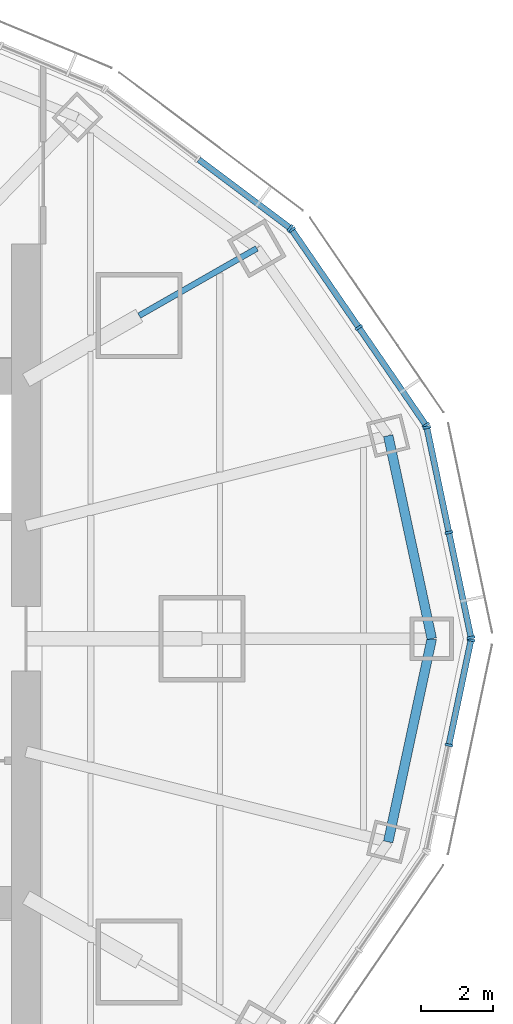
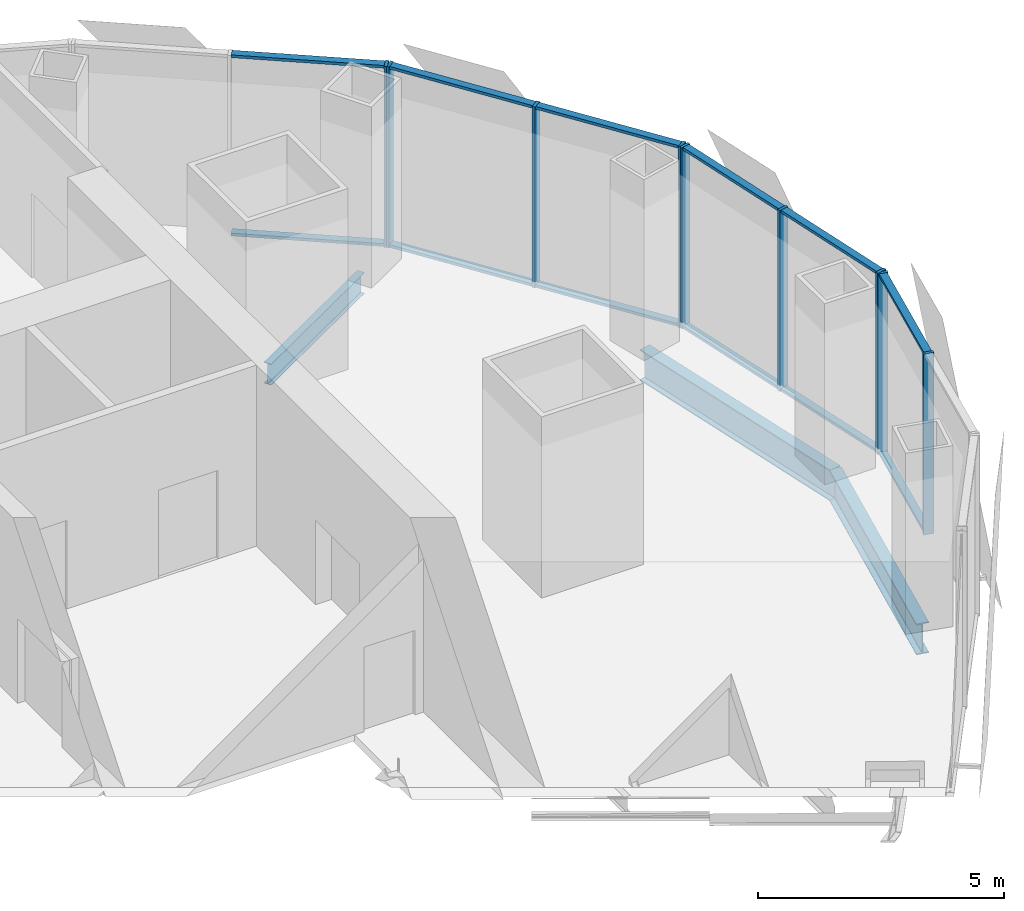
# One storey, part 6 of 15: 21 members, 3 beams, 4 elements without a shape of their own.
"""IFC4 building model written with IfcOpenShell, lengths in metres."""

import ifcopenshell
import ifcopenshell.guid

model = None  # the IFC model being written
_history = None  # IfcOwnerHistory: only IFC2X3 demands one
_inside = {}  # id of a spatial element -> (the spatial element, [elements in it])
_under = {}  # id of a project, library or spatial element -> (it, [spatial elements below it])
_declared = {}  # id of a project -> (the project, [libraries it declares])
_typed = {}  # id of a type object -> (the type object, [elements of that type])
_made_of = {}  # id of a material, layer set ... -> (it, [elements and type objects made of it])


def new_model(schema):
    """Start an empty IFC model of exactly this schema.

    Asked for "IFC4X3", IfcOpenShell would pick the latest addendum, in which some entities
    have other attributes; the version numbers below select the first issue.
    IFC2X3 requires an IfcOwnerHistory on every rooted entity: one is made here for all.
    """
    global model, _history
    if schema == "IFC4X3":
        model = ifcopenshell.file(schema_version=(4, 3, 0, 0))
    else:
        model = ifcopenshell.file(schema=schema)
    _inside.clear()
    _under.clear()
    _declared.clear()
    _typed.clear()
    _made_of.clear()
    _history = None
    if model.schema == "IFC2X3":
        org = make("IfcOrganization", Name="unknown")
        user = make(
            "IfcPersonAndOrganization",
            ThePerson=make("IfcPerson", FamilyName="unknown"),
            TheOrganization=org,
        )
        app = make(
            "IfcApplication",
            ApplicationDeveloper=org,
            Version="unknown",
            ApplicationFullName="unknown",
            ApplicationIdentifier="unknown",
        )
        _history = make(
            "IfcOwnerHistory",
            OwningUser=user,
            OwningApplication=app,
            ChangeAction="ADDED",
            CreationDate=0,
        )
    return model


def make(cls, **values):
    """One entity of the class cls with the attributes given. An attribute that is None is left unset."""
    return model.create_entity(
        cls, **{name: value for name, value in values.items() if value is not None}
    )


def rooted(cls, **values):
    """An entity with a GlobalId (a new one), such as an element, a storey or a relation."""
    return make(cls, GlobalId=ifcopenshell.guid.new(), OwnerHistory=_history, **values)


def si_unit(unit_type, name, prefix=None):
    """IfcSIUnit, for example si_unit("LENGTHUNIT", "METRE", prefix="MILLI")."""
    return make("IfcSIUnit", UnitType=unit_type, Prefix=prefix, Name=name)


def assignment(units):
    """IfcUnitAssignment: the units of a project."""
    return None if units is None else make("IfcUnitAssignment", Units=units)


def point(xyz):
    """IfcCartesianPoint."""
    return None if xyz is None else make("IfcCartesianPoint", Coordinates=xyz)


def direction(xyz):
    """IfcDirection."""
    return None if xyz is None else make("IfcDirection", DirectionRatios=xyz)


def frame(location, z_axis=None, x_axis=None):
    """IfcAxis2Placement3D, a coordinate frame: its origin and axes. An axis left out is left unset."""
    return make(
        "IfcAxis2Placement3D",
        Location=point(location),
        Axis=direction(z_axis),
        RefDirection=direction(x_axis),
    )


def frame_2d(location, x_axis=None):
    """IfcAxis2Placement2D, a coordinate frame in the plane: its origin and x axis."""
    return make(
        "IfcAxis2Placement2D", Location=point(location), RefDirection=direction(x_axis)
    )


def origin():
    """The frame at (0, 0, 0) with its axes left unset."""
    return frame((0.0, 0.0, 0.0))


def origin_2d():
    """The frame at (0, 0) in the plane with its x axis left unset."""
    return frame_2d((0.0, 0.0))


def place(relative_to, where):
    """IfcLocalPlacement: puts the frame where relative to a parent placement (None: the world)."""
    return make(
        "IfcLocalPlacement", PlacementRelTo=relative_to, RelativePlacement=where
    )


def context(
    kind, dimensions, precision=None, world=None, true_north=None, identifier=None
):
    """IfcGeometricRepresentationContext, for example the 3D "Model" context."""
    return make(
        "IfcGeometricRepresentationContext",
        ContextIdentifier=identifier,
        ContextType=kind,
        CoordinateSpaceDimension=dimensions,
        Precision=precision,
        WorldCoordinateSystem=world,
        TrueNorth=true_north,
    )


def subcontext(parent, identifier, kind, view, scale=None):
    """IfcGeometricRepresentationSubContext, for example "Body" below "Model"."""
    return make(
        "IfcGeometricRepresentationSubContext",
        ContextIdentifier=identifier,
        ContextType=kind,
        ParentContext=parent,
        TargetScale=scale,
        TargetView=view,
    )


def project(units=None, contexts=None):
    """IfcProject with its units and contexts."""
    return rooted(
        "IfcProject",
        Name="project",
        RepresentationContexts=contexts,
        UnitsInContext=assignment(units),
    )


def spatial(cls, under=None, at=None, **own):
    """A site, building, storey or space (cls), placed at a placement, below another one or the project."""
    s = rooted(cls, ObjectPlacement=at, **own)
    if under is not None:
        _under.setdefault(under.id(), (under, []))[1].append(s)
    return s


def profile(cls, at=None, kind="AREA", **sizes):
    """A parametric profile (cls). Its sizes go by their IFC names, for example OverallWidth=200.0."""
    return make(cls, ProfileType=kind, Position=at, **sizes)


def rectangle(**sizes):
    """IfcRectangleProfileDef."""
    return profile("IfcRectangleProfileDef", **sizes)


def i_section(**sizes):
    """IfcIShapeProfileDef."""
    return profile("IfcIShapeProfileDef", **sizes)


def extrude(swept, where, along, depth):
    """IfcExtrudedAreaSolid: the profile swept, set in the frame where, extruded along a direction by depth."""
    return make(
        "IfcExtrudedAreaSolid",
        SweptArea=swept,
        Position=where,
        ExtrudedDirection=direction(along),
        Depth=depth,
    )


def shape(context_of_items, identifier, shape_type, items):
    """IfcShapeRepresentation: the items that make up one representation, for example the "Body"."""
    return make(
        "IfcShapeRepresentation",
        ContextOfItems=context_of_items,
        RepresentationIdentifier=identifier,
        RepresentationType=shape_type,
        Items=items,
    )


def material(Name=None, Category=None):
    """IfcMaterial."""
    return make("IfcMaterial", Name=Name, Category=Category)


def material_profile(
    of_material, cross_section, Name=None, Category=None, Priority=None
):
    """IfcMaterialProfile: a cross section and its material."""
    return make(
        "IfcMaterialProfile",
        Name=Name,
        Material=of_material,
        Profile=cross_section,
        Priority=Priority,
        Category=Category,
    )


def profile_set(profiles, Name=None, composite=None):
    """IfcMaterialProfileSet."""
    return make(
        "IfcMaterialProfileSet",
        Name=Name,
        MaterialProfiles=profiles,
        CompositeProfile=composite,
    )


def made_of(thing, what):
    """Note that an element or type object is made of a material, layer set ...; save() writes the relation."""
    if what is not None:
        _made_of.setdefault(what.id(), (what, []))[1].append(thing)
    return thing


def type_object(cls, material=None, **own):
    """A type object (cls), such as IfcWallType, which elements share."""
    return made_of(rooted(cls, **own), material)


def element(
    cls,
    number,
    at=None,
    inside=None,
    cuts=None,
    type_object=None,
    material=None,
    context=None,
    identifier="Body",
    shape_type=None,
    held_by="IfcProductDefinitionShape",
    body=None,
    shapes=None,
    **own,
):
    """One element of the class cls, such as IfcWall. Its Tag is "e" and its number.

    at: its placement. inside: the storey or other place that contains it. cuts: it is an
    opening in that element (IfcRelVoidsElement). A single representation is given by context,
    identifier, shape_type and body (its items); several are given by shapes. held_by: the class
    of the entity that holds the representations. save() writes the other relations.
    """
    e = rooted(cls, Tag="e%d" % number, ObjectPlacement=at, **own)
    if body is not None:
        shapes = [shape(context, identifier, shape_type, body)]
    if shapes is not None:
        e.Representation = make(held_by, Representations=shapes)
    if inside is not None:
        _inside.setdefault(inside.id(), (inside, []))[1].append(e)
    if cuts is not None:
        rooted(
            "IfcRelVoidsElement", RelatingBuildingElement=cuts, RelatedOpeningElement=e
        )
    if type_object is not None:
        _typed.setdefault(type_object.id(), (type_object, []))[1].append(e)
    return made_of(e, material)


def aggregate(whole, parts):
    """IfcRelAggregates: a whole, such as a stair, and the parts it consists of."""
    return rooted("IfcRelAggregates", RelatingObject=whole, RelatedObjects=parts)


def save(model, path):
    """Write the relations noted so far, then the file.

    IfcRelAggregates (storeys below a building ...), IfcRelContainedInSpatialStructure (elements
    in a storey), IfcRelDefinesByType, IfcRelAssociatesMaterial and IfcRelDeclares: one each for
    every whole, place, type object, material and project.
    """
    for whole, parts in _under.values():
        aggregate(whole, parts)
    for where, things in _inside.values():
        rooted(
            "IfcRelContainedInSpatialStructure",
            RelatedElements=things,
            RelatingStructure=where,
        )
    for kind, things in _typed.values():
        rooted("IfcRelDefinesByType", RelatedObjects=things, RelatingType=kind)
    for what, things in _made_of.values():
        rooted("IfcRelAssociatesMaterial", RelatedObjects=things, RelatingMaterial=what)
    for by, libraries in _declared.values():
        rooted("IfcRelDeclares", RelatingContext=by, RelatedDefinitions=libraries)
    model.write(path)


model = new_model("IFC4")

# Units and contexts
model_context = context("Model", 3, precision=1e-05, world=origin(), true_north=direction((0.0, 1.0)))
body_context = subcontext(model_context, "Body", "Model", "MODEL_VIEW")
ifc_project = project(units=[si_unit("LENGTHUNIT", "METRE"), si_unit("AREAUNIT", "SQUARE_METRE"), si_unit("VOLUMEUNIT", "CUBIC_METRE"), si_unit("PLANEANGLEUNIT", "RADIAN"), si_unit("MASSUNIT", "GRAM", prefix="KILO")], contexts=[model_context])

# Site, building, storey
site_placement = place(None, origin())
site = spatial("IfcSite", under=ifc_project, at=site_placement, CompositionType="ELEMENT")
building_placement = place(site_placement, origin())
building = spatial("IfcBuilding", under=site, at=building_placement, Name="Lantaw Convention Tower", CompositionType="ELEMENT")
storey_placement = place(building_placement, frame((0.0, 0.0, 274.89990234375)))
storey = spatial("IfcBuildingStorey", under=building, at=storey_placement, Name="L64", CompositionType="ELEMENT", Elevation=274.89990234375)

# Beams
ifc_material_1 = material(Name="Steel ASTM A992", Category="steel")
ifc_material_profile_1 = material_profile(ifc_material_1, i_section(OverallWidth=0.2666015625, OverallDepth=0.76953125, WebThickness=0.015625, FlangeThickness=0.025390625, FilletRadius=0.0126953125, at=origin_2d()), Name="W30X132")
ifc_profile_set_1 = profile_set([ifc_material_profile_1], Name="Steel ASTM A992")
beam_type_1 = type_object("IfcBeamType", Name="Beam E W30X132", PredefinedType="SPANDREL", material=ifc_profile_set_1)
for number, where, z_axis, x_axis, name in (
    (1, (23.89990234375, 0.0, -0.53466796875), (-0.209658780372, 0.977774614015, 0.0), (-0.977774614015, -0.209658780372, 0.0), "Edge beam 1"),
    (2, (22.68701171875, -5.656494140625, -0.53466796875), (0.209658780372, 0.977774614015, 0.0), (-0.977774614015, 0.209658780372, 0.0), "Edge beam 24"),
):
    element("IfcBeam", number, at=place(storey_placement, frame(where, z_axis=z_axis, x_axis=x_axis)), inside=storey, type_object=beam_type_1, Name=name, PredefinedType="SPANDREL", context=body_context, shape_type="SweptSolid", body=[
        extrude(i_section(OverallWidth=0.2666015625, OverallDepth=0.76953125, WebThickness=0.015625, FlangeThickness=0.025390625, FilletRadius=0.0126953125, at=origin_2d()), origin(), (0.0, 0.0, 1.0), 5.78515625),
    ])
ifc_material_profile_2 = material_profile(ifc_material_1, i_section(OverallWidth=0.1650390625, OverallDepth=0.52587890625, WebThickness=0.0087890625, FlangeThickness=0.011474609375, FilletRadius=0.0126953125, at=origin_2d()), Name="W21X44")
ifc_profile_set_2 = profile_set([ifc_material_profile_2], Name="Steel ASTM A992")
beam_type_2 = type_object("IfcBeamType", Name="Beam G W21X44", PredefinedType="BEAM", material=ifc_profile_set_2)
beam_placement = place(storey_placement, frame((15.75, 9.0, -0.412841796875), z_axis=(0.868235180478, 0.496152870978, 0.0), x_axis=(-0.496152870978, 0.868235180478, 0.0)))
element("IfcBeam", 3, at=beam_placement, inside=storey, type_object=beam_type_2, Name="Floor girder on ray 3", PredefinedType="BEAM", context=body_context, shape_type="SweptSolid", body=[
    extrude(i_section(OverallWidth=0.1650390625, OverallDepth=0.52587890625, WebThickness=0.0087890625, FlangeThickness=0.011474609375, FilletRadius=0.0126953125, at=origin_2d()), origin(), (0.0, 0.0, 1.0), 3.774169921875),
])

# Curtain wall, members
ifc_material_2 = material(Name="Aluminium framed curtain wall", Category="aluminium")
curtain_wall_type = type_object("IfcCurtainWallType", Name="Executive floors curtain wall, pale aluminium", PredefinedType="USERDEFINED", material=ifc_material_2)
curtain_wall_1_placement = place(storey_placement, origin())
curtain_wall_1 = element("IfcCurtainWall", 4, at=curtain_wall_1_placement, inside=storey, type_object=curtain_wall_type, Name="Executive floors curtain wall, pale aluminium L64", ObjectType="UNITISED CURTAIN WALL", PredefinedType="USERDEFINED")
ifc_material_3 = material(Name="Aluminium 6063-T6", Category="aluminium")
ifc_material_profile_3 = material_profile(ifc_material_3, rectangle(XDim=0.219970703125, YDim=0.070068359375, at=origin_2d()), Name="CW-T mullion 70x220")
ifc_profile_set_3 = profile_set([ifc_material_profile_3], Name="Aluminium 6063-T6")
member_type_1 = type_object("IfcMemberType", Name="CW-T mullion 70x220", PredefinedType="MULLION", material=ifc_profile_set_3)
member_1_placement = place(storey_placement, frame((24.99267578125, 0.0341796875, -0.14990234375), z_axis=(0.0, 0.0, 1.0), x_axis=(-0.978591117263, -0.205814054946, 0.0)))
member_1 = element("IfcMember", 5, at=member_1_placement, type_object=member_type_1, Name="CW-T mullion 1", PredefinedType="MULLION", context=body_context, shape_type="SweptSolid", body=[
    extrude(rectangle(XDim=0.219970703125, YDim=0.070068359375, at=origin_2d()), origin(), (0.0, 0.0, 1.0), 4.5),
])
member_2_placement = place(storey_placement, frame((24.377197265625, 2.96142578125, -0.14990234375), z_axis=(0.0, 0.0, 1.0), x_axis=(-0.978591117263, -0.205814054946, 0.0)))
member_2 = element("IfcMember", 6, at=member_2_placement, type_object=member_type_1, Name="CW-T mullion 2", PredefinedType="MULLION", context=body_context, shape_type="SweptSolid", body=[
    extrude(rectangle(XDim=0.219970703125, YDim=0.070068359375, at=origin_2d()), origin(), (0.0, 0.0, 1.0), 4.5),
])
member_3_placement = place(storey_placement, frame((23.761474609375, 5.888427734375, -0.14990234375), z_axis=(0.0, 0.0, 1.0), x_axis=(-0.978591117263, -0.205814054946, 0.0)))
member_3 = element("IfcMember", 7, at=member_3_placement, type_object=member_type_1, Name="CW-T mullion 3", PredefinedType="MULLION", context=body_context, shape_type="SweptSolid", body=[
    extrude(rectangle(XDim=0.219970703125, YDim=0.070068359375, at=origin_2d()), origin(), (0.0, 0.0, 1.0), 4.5),
])

curtain_wall_2_placement = place(storey_placement, origin())
curtain_wall_2 = element("IfcCurtainWall", 8, at=curtain_wall_2_placement, inside=storey, type_object=curtain_wall_type, Name="Executive floors curtain wall, pale aluminium L64", ObjectType="UNITISED CURTAIN WALL", PredefinedType="USERDEFINED")
member_4_placement = place(storey_placement, frame((23.734619140625, 5.951416015625, -0.14990234375), z_axis=(0.0, 0.0, 1.0), x_axis=(-0.824449977189, -0.565934832921, 0.0)))
member_4 = element("IfcMember", 9, at=member_4_placement, type_object=member_type_1, Name="CW-T mullion 1", PredefinedType="MULLION", context=body_context, shape_type="SweptSolid", body=[
    extrude(rectangle(XDim=0.219970703125, YDim=0.070068359375, at=origin_2d()), origin(), (0.0, 0.0, 1.0), 4.5),
])
member_5_placement = place(storey_placement, frame((21.8681640625, 8.67041015625, -0.14990234375), z_axis=(0.0, 0.0, 1.0), x_axis=(-0.824449977189, -0.565934832921, 0.0)))
member_5 = element("IfcMember", 10, at=member_5_placement, type_object=member_type_1, Name="CW-T mullion 2", PredefinedType="MULLION", context=body_context, shape_type="SweptSolid", body=[
    extrude(rectangle(XDim=0.219970703125, YDim=0.070068359375, at=origin_2d()), origin(), (0.0, 0.0, 1.0), 4.5),
])
member_6_placement = place(storey_placement, frame((20.001708984375, 11.389404296875, -0.14990234375), z_axis=(0.0, 0.0, 1.0), x_axis=(-0.824449977189, -0.565934832921, 0.0)))
member_6 = element("IfcMember", 11, at=member_6_placement, type_object=member_type_1, Name="CW-T mullion 3", PredefinedType="MULLION", context=body_context, shape_type="SweptSolid", body=[
    extrude(rectangle(XDim=0.219970703125, YDim=0.070068359375, at=origin_2d()), origin(), (0.0, 0.0, 1.0), 4.5),
])

# Curtain wall, member
curtain_wall_3_placement = place(storey_placement, origin())
curtain_wall_3 = element("IfcCurtainWall", 12, at=curtain_wall_3_placement, inside=storey, type_object=curtain_wall_type, Name="Executive floors curtain wall, pale aluminium L64", ObjectType="UNITISED CURTAIN WALL", PredefinedType="USERDEFINED")
member_7_placement = place(storey_placement, frame((19.953857421875, 11.439208984375, -0.14990234375), z_axis=(0.0, 0.0, 1.0), x_axis=(-0.600642756762, -0.799517528732, 0.0)))
member_7 = element("IfcMember", 13, at=member_7_placement, type_object=member_type_1, Name="CW-T mullion 1", PredefinedType="MULLION", context=body_context, shape_type="SweptSolid", body=[
    extrude(rectangle(XDim=0.219970703125, YDim=0.070068359375, at=origin_2d()), origin(), (0.0, 0.0, 1.0), 4.5),
])

# Curtain wall, members
curtain_wall_4_placement = place(storey_placement, origin())
curtain_wall_4 = element("IfcCurtainWall", 14, at=curtain_wall_4_placement, inside=storey, type_object=curtain_wall_type, Name="Executive floors curtain wall, pale aluminium L64", ObjectType="UNITISED CURTAIN WALL", PredefinedType="USERDEFINED")
member_8_placement = place(storey_placement, frame((24.377197265625, -2.96142578125, -0.14990234375), z_axis=(0.0, 0.0, 1.0), x_axis=(-0.978591117263, 0.205814054946, 0.0)))
member_8 = element("IfcMember", 15, at=member_8_placement, type_object=member_type_1, Name="CW-T mullion 2", PredefinedType="MULLION", context=body_context, shape_type="SweptSolid", body=[
    extrude(rectangle(XDim=0.219970703125, YDim=0.070068359375, at=origin_2d()), origin(), (0.0, 0.0, 1.0), 4.5),
])
member_9_placement = place(storey_placement, frame((24.99267578125, -0.0341796875, -0.14990234375), z_axis=(0.0, 0.0, 1.0), x_axis=(-0.978591117263, 0.205814054946, 0.0)))
member_9 = element("IfcMember", 16, at=member_9_placement, type_object=member_type_1, Name="CW-T mullion 3", PredefinedType="MULLION", context=body_context, shape_type="SweptSolid", body=[
    extrude(rectangle(XDim=0.219970703125, YDim=0.070068359375, at=origin_2d()), origin(), (0.0, 0.0, 1.0), 4.5),
])

# Member
ifc_material_profile_4 = material_profile(ifc_material_3, rectangle(XDim=0.169921875, YDim=0.070068359375, at=origin_2d()), Name="CW-T transom 70x170")
ifc_profile_set_4 = profile_set([ifc_material_profile_4], Name="Aluminium 6063-T6")
member_type_2 = type_object("IfcMemberType", Name="CW-T transom 70x170", PredefinedType="USERDEFINED", material=ifc_profile_set_4)
member_10_placement = place(storey_placement, frame((24.985595703125, 0.068603515625, -0.114990234375), z_axis=(-0.205863045856, 0.978580812376, 0.0), x_axis=(-0.978580812376, -0.205863045856, 0.0)))
member_10 = element("IfcMember", 17, at=member_10_placement, type_object=member_type_2, Name="CW-T transom 1.1", ObjectType="TRANSOM", PredefinedType="USERDEFINED", context=body_context, shape_type="SweptSolid", body=[
    extrude(rectangle(XDim=0.169921875, YDim=0.070068359375, at=origin_2d()), origin(), (0.0, 0.0, 1.0), 2.9208984375),
])

member_11_placement = place(storey_placement, frame((24.985595703125, 0.068603515625, 4.315185546875), z_axis=(-0.205863045856, 0.978580812376, 0.0), x_axis=(-0.978580812376, -0.205863045856, 0.0)))
member_11 = element("IfcMember", 18, at=member_11_placement, type_object=member_type_2, Name="CW-T transom 1.2", ObjectType="TRANSOM", PredefinedType="USERDEFINED", context=body_context, shape_type="SweptSolid", body=[
    extrude(rectangle(XDim=0.169921875, YDim=0.070068359375, at=origin_2d()), origin(), (0.0, 0.0, 1.0), 2.9208984375),
])

member_12_placement = place(storey_placement, frame((24.369873046875, 2.99560546875, -0.114990234375), z_axis=(-0.205766173106, 0.978601186391, 0.0), x_axis=(-0.978601186391, -0.205766173106, 0.0)))
member_12 = element("IfcMember", 19, at=member_12_placement, type_object=member_type_2, Name="CW-T transom 2.1", ObjectType="TRANSOM", PredefinedType="USERDEFINED", context=body_context, shape_type="SweptSolid", body=[
    extrude(rectangle(XDim=0.169921875, YDim=0.070068359375, at=origin_2d()), origin(), (0.0, 0.0, 1.0), 2.921142578125),
])

member_13_placement = place(storey_placement, frame((24.369873046875, 2.99560546875, 4.315185546875), z_axis=(-0.205766173106, 0.978601186391, 0.0), x_axis=(-0.978601186391, -0.205766173106, 0.0)))
member_13 = element("IfcMember", 20, at=member_13_placement, type_object=member_type_2, Name="CW-T transom 2.2", ObjectType="TRANSOM", PredefinedType="USERDEFINED", context=body_context, shape_type="SweptSolid", body=[
    extrude(rectangle(XDim=0.169921875, YDim=0.070068359375, at=origin_2d()), origin(), (0.0, 0.0, 1.0), 2.921142578125),
])

aggregate(curtain_wall_1, [member_1, member_2, member_3, member_10, member_11, member_12, member_13])

member_14_placement = place(storey_placement, frame((23.71484375, 5.980224609375, -0.114990234375), z_axis=(-0.56594129057, 0.824445544368, 0.0), x_axis=(-0.824445544368, -0.56594129057, 0.0)))
member_14 = element("IfcMember", 21, at=member_14_placement, type_object=member_type_2, Name="CW-T transom 1.1", ObjectType="TRANSOM", PredefinedType="USERDEFINED", context=body_context, shape_type="SweptSolid", body=[
    extrude(rectangle(XDim=0.169921875, YDim=0.070068359375, at=origin_2d()), origin(), (0.0, 0.0, 1.0), 3.22802734375),
])

member_15_placement = place(storey_placement, frame((23.71484375, 5.980224609375, 4.315185546875), z_axis=(-0.56594129057, 0.824445544368, 0.0), x_axis=(-0.824445544368, -0.56594129057, 0.0)))
member_15 = element("IfcMember", 22, at=member_15_placement, type_object=member_type_2, Name="CW-T transom 1.2", ObjectType="TRANSOM", PredefinedType="USERDEFINED", context=body_context, shape_type="SweptSolid", body=[
    extrude(rectangle(XDim=0.169921875, YDim=0.070068359375, at=origin_2d()), origin(), (0.0, 0.0, 1.0), 3.22802734375),
])

member_16_placement = place(storey_placement, frame((21.848388671875, 8.69921875, -0.114990234375), z_axis=(-0.56594129057, 0.824445544368, 0.0), x_axis=(-0.824445544368, -0.56594129057, 0.0)))
member_16 = element("IfcMember", 23, at=member_16_placement, type_object=member_type_2, Name="CW-T transom 2.1", ObjectType="TRANSOM", PredefinedType="USERDEFINED", context=body_context, shape_type="SweptSolid", body=[
    extrude(rectangle(XDim=0.169921875, YDim=0.070068359375, at=origin_2d()), origin(), (0.0, 0.0, 1.0), 3.22802734375),
])

member_17_placement = place(storey_placement, frame((21.848388671875, 8.69921875, 4.315185546875), z_axis=(-0.56594129057, 0.824445544368, 0.0), x_axis=(-0.824445544368, -0.56594129057, 0.0)))
member_17 = element("IfcMember", 24, at=member_17_placement, type_object=member_type_2, Name="CW-T transom 2.2", ObjectType="TRANSOM", PredefinedType="USERDEFINED", context=body_context, shape_type="SweptSolid", body=[
    extrude(rectangle(XDim=0.169921875, YDim=0.070068359375, at=origin_2d()), origin(), (0.0, 0.0, 1.0), 3.22802734375),
])

aggregate(curtain_wall_2, [member_4, member_5, member_6, member_14, member_15, member_16, member_17])

member_18_placement = place(storey_placement, frame((19.926025390625, 11.460205078125, -0.114990234375), z_axis=(-0.799496049611, 0.600671346626, 0.0), x_axis=(-0.600671346626, -0.799496049611, 0.0)))
member_18 = element("IfcMember", 25, at=member_18_placement, type_object=member_type_2, Name="CW-T transom 1.1", ObjectType="TRANSOM", PredefinedType="USERDEFINED", context=body_context, shape_type="SweptSolid", body=[
    extrude(rectangle(XDim=0.169921875, YDim=0.070068359375, at=origin_2d()), origin(), (0.0, 0.0, 1.0), 3.14111328125),
])

member_19_placement = place(storey_placement, frame((19.926025390625, 11.460205078125, 4.315185546875), z_axis=(-0.799496049611, 0.600671346626, 0.0), x_axis=(-0.600671346626, -0.799496049611, 0.0)))
member_19 = element("IfcMember", 26, at=member_19_placement, type_object=member_type_2, Name="CW-T transom 1.2", ObjectType="TRANSOM", PredefinedType="USERDEFINED", context=body_context, shape_type="SweptSolid", body=[
    extrude(rectangle(XDim=0.169921875, YDim=0.070068359375, at=origin_2d()), origin(), (0.0, 0.0, 1.0), 3.14111328125),
])

aggregate(curtain_wall_3, [member_7, member_18, member_19])

member_20_placement = place(storey_placement, frame((24.38427734375, -2.927001953125, -0.114990234375), z_axis=(0.205863045856, 0.978580812376, 0.0), x_axis=(-0.978580812376, 0.205863045856, 0.0)))
member_20 = element("IfcMember", 27, at=member_20_placement, type_object=member_type_2, Name="CW-T transom 2.1", ObjectType="TRANSOM", PredefinedType="USERDEFINED", context=body_context, shape_type="SweptSolid", body=[
    extrude(rectangle(XDim=0.169921875, YDim=0.070068359375, at=origin_2d()), origin(), (0.0, 0.0, 1.0), 2.9208984375),
])

member_21_placement = place(storey_placement, frame((24.38427734375, -2.927001953125, 4.315185546875), z_axis=(0.205863045856, 0.978580812376, 0.0), x_axis=(-0.978580812376, 0.205863045856, 0.0)))
member_21 = element("IfcMember", 28, at=member_21_placement, type_object=member_type_2, Name="CW-T transom 2.2", ObjectType="TRANSOM", PredefinedType="USERDEFINED", context=body_context, shape_type="SweptSolid", body=[
    extrude(rectangle(XDim=0.169921875, YDim=0.070068359375, at=origin_2d()), origin(), (0.0, 0.0, 1.0), 2.9208984375),
])

aggregate(curtain_wall_4, [member_8, member_9, member_20, member_21])

save(model, "model.ifc")
